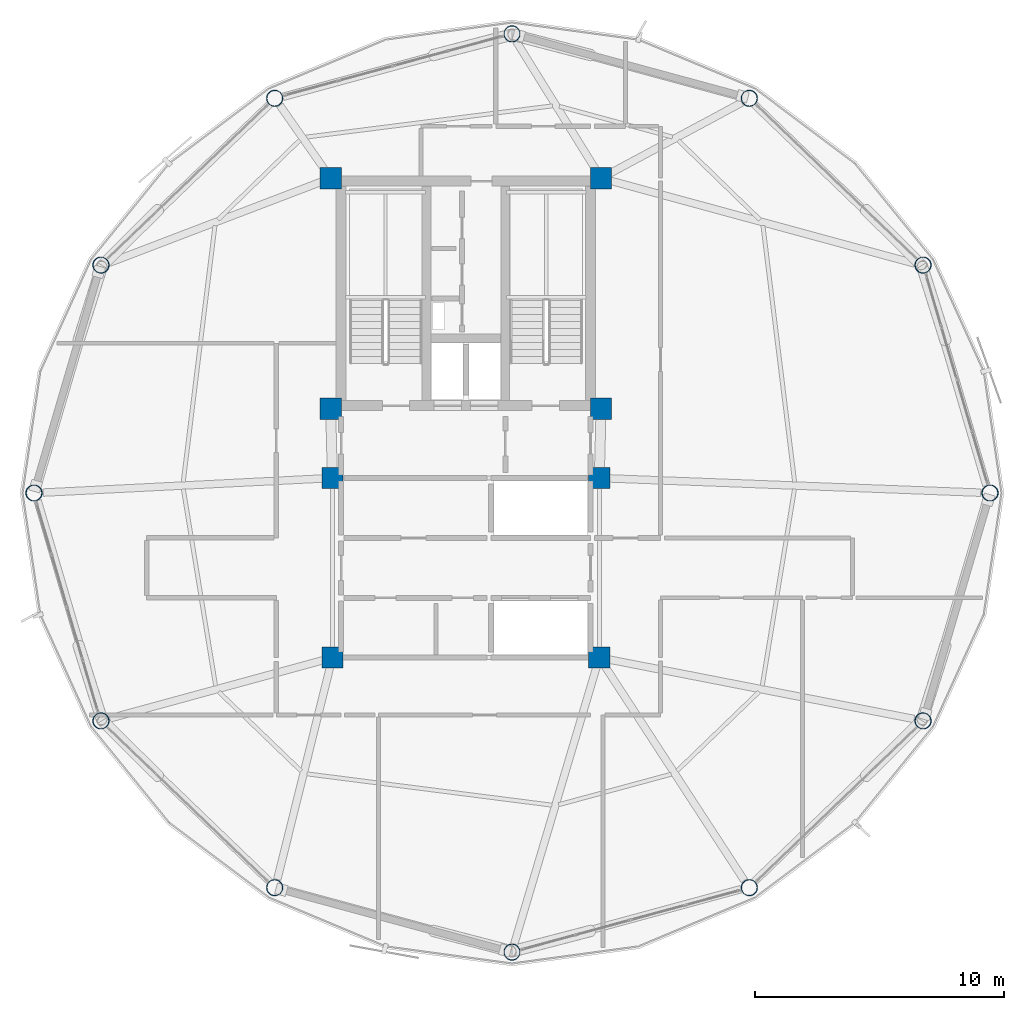
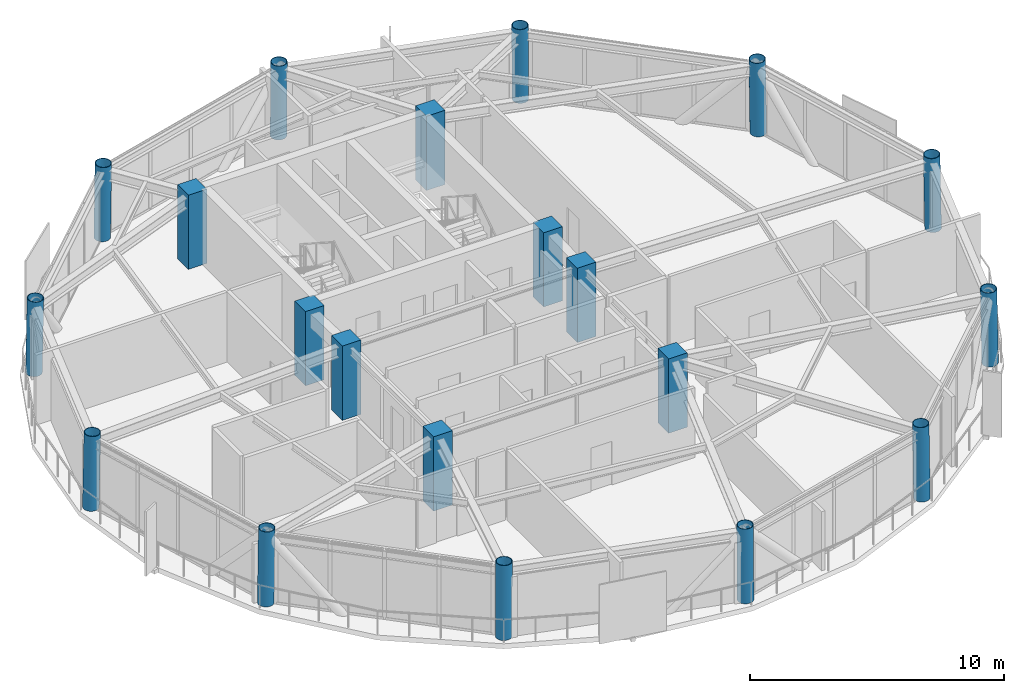
# One storey, part 1 of 28: 20 columns.
"""IFC4 building model written with IfcOpenShell, lengths in metres."""

from ifc_helpers import new_model, si_unit, direction, frame, origin, origin_2d, place, context, subcontext, project, spatial, rectangle, hollow_circle, extrude, material, material_profile, profile_set, type_object, element, save


model = new_model("IFC4")

# Units and contexts
model_context = context("Model", 3, precision=1e-05, world=origin(), true_north=direction((0.0, 1.0)))
body_context = subcontext(model_context, "Body", "Model", "MODEL_VIEW")
ifc_project = project(units=[si_unit("LENGTHUNIT", "METRE"), si_unit("AREAUNIT", "SQUARE_METRE"), si_unit("VOLUMEUNIT", "CUBIC_METRE"), si_unit("PLANEANGLEUNIT", "RADIAN"), si_unit("MASSUNIT", "GRAM", prefix="KILO")], contexts=[model_context])

# Site, building, storey
site_placement = place(None, origin())
site = spatial("IfcSite", under=ifc_project, at=site_placement, CompositionType="ELEMENT")
building_placement = place(site_placement, origin())
building = spatial("IfcBuilding", under=site, at=building_placement, Name="Varnakorn Sky Granary", CompositionType="ELEMENT")
storey_placement = place(building_placement, frame((0.0, 0.0, 211.199951171875)))
storey = spatial("IfcBuildingStorey", under=building, at=storey_placement, Name="L53", CompositionType="ELEMENT", Elevation=211.199951171875)

# Columns
ifc_material_1 = material(Name="Steel S460M", Category="steel")
ifc_material_profile_1 = material_profile(ifc_material_1, hollow_circle(Radius=0.330078125, WallThickness=0.02490234375, at=origin_2d()), Name="CHS 660x25")
ifc_profile_set_1 = profile_set([ifc_material_profile_1], Name="Steel S460M")
column_type_1 = type_object("IfcColumnType", Name="COL-DC-Z4", PredefinedType="COLUMN", material=ifc_profile_set_1)
column_1_placement = place(storey_placement, frame((24.02294921875, 0.0, 0.0), z_axis=(-0.018981760075, 0.0, 0.999819830162), x_axis=(0.0, -1.0, 0.0)))
element("IfcColumn", 1, at=column_1_placement, inside=storey, type_object=column_type_1, Name="Drum Perimeter Column DC01 L53", PredefinedType="COLUMN", context=body_context, shape_type="SweptSolid", body=[
    extrude(hollow_circle(Radius=0.330078125, WallThickness=0.02490234375, at=origin_2d()), origin(), (0.0, 0.0, 1.0), 3.57568359375),
])
column_2_placement = place(storey_placement, frame((21.33740234375, 9.137939453125, 0.0), z_axis=(-0.016455964715, -0.004711458777, 0.999853490958), x_axis=(0.275247949014, -0.961373271193, 0.0)))
element("IfcColumn", 2, at=column_2_placement, inside=storey, type_object=column_type_1, Name="Drum Perimeter Column DC02 L53", PredefinedType="COLUMN", context=body_context, shape_type="SweptSolid", body=[
    extrude(hollow_circle(Radius=0.330078125, WallThickness=0.02490234375, at=origin_2d()), origin(), (0.0, 0.0, 1.0), 3.575439453125),
])
for number, where, z_axis, x_axis, name in (
    (3, (14.368896484375, 15.827392578125, 0.0), (-0.009491843964, -0.008194397667, 0.999921375282), (0.653478078623, -0.756945441072, 0.0), "Drum Perimeter Column DC03 L53"),
    (4, (4.85009765625, 18.410888671875, 0.0), (0.0, -0.00949216266, 0.999954948409), (1.0, 0.0, 0.0), "Drum Perimeter Column DC04 L53"),
    (5, (-4.6689453125, 15.827392578125, 0.0), (0.009491843964, -0.008194397667, 0.999921375282), (0.653478078623, 0.756945441072, 0.0), "Drum Perimeter Column DC05 L53"),
):
    element("IfcColumn", number, at=place(storey_placement, frame(where, z_axis=z_axis, x_axis=x_axis)), inside=storey, type_object=column_type_1, Name=name, PredefinedType="COLUMN", context=body_context, shape_type="SweptSolid", body=[
        extrude(hollow_circle(Radius=0.330078125, WallThickness=0.02490234375, at=origin_2d()), origin(), (0.0, 0.0, 1.0), 3.5751953125),
    ])
column_3_placement = place(storey_placement, frame((-11.637451171875, 9.137939453125, 0.0), z_axis=(0.016455964715, -0.004711458777, 0.999853490958), x_axis=(0.275247949014, 0.961373271193, 0.0)))
element("IfcColumn", 6, at=column_3_placement, inside=storey, type_object=column_type_1, Name="Drum Perimeter Column DC06 L53", PredefinedType="COLUMN", context=body_context, shape_type="SweptSolid", body=[
    extrude(hollow_circle(Radius=0.330078125, WallThickness=0.02490234375, at=origin_2d()), origin(), (0.0, 0.0, 1.0), 3.575439453125),
])
column_4_placement = place(storey_placement, frame((-14.322998046875, 0.0, 0.0), z_axis=(0.019050015053, 0.0, 0.999818531998), x_axis=(0.0, 1.0, 0.0)))
element("IfcColumn", 7, at=column_4_placement, inside=storey, type_object=column_type_1, Name="Drum Perimeter Column DC07 L53", PredefinedType="COLUMN", context=body_context, shape_type="SweptSolid", body=[
    extrude(hollow_circle(Radius=0.330078125, WallThickness=0.02490234375, at=origin_2d()), origin(), (0.0, 0.0, 1.0), 3.57568359375),
])
column_5_placement = place(storey_placement, frame((-11.637451171875, -9.137939453125, 0.0), z_axis=(0.016455964715, 0.004711458777, 0.999853490958), x_axis=(-0.275247949014, 0.961373271193, 0.0)))
element("IfcColumn", 8, at=column_5_placement, inside=storey, type_object=column_type_1, Name="Drum Perimeter Column DC08 L53", PredefinedType="COLUMN", context=body_context, shape_type="SweptSolid", body=[
    extrude(hollow_circle(Radius=0.330078125, WallThickness=0.02490234375, at=origin_2d()), origin(), (0.0, 0.0, 1.0), 3.575439453125),
])
for number, where, z_axis, x_axis, name in (
    (9, (-4.6689453125, -15.827392578125, 0.0), (0.009491843964, 0.008194397667, 0.999921375282), (-0.653478078623, 0.756945441072, 0.0), "Drum Perimeter Column DC09 L53"),
    (10, (4.85009765625, -18.410888671875, 0.0), (0.0, 0.00949216266, 0.999954948409), (-1.0, 0.0, 0.0), "Drum Perimeter Column DC10 L53"),
    (11, (14.368896484375, -15.827392578125, 0.0), (-0.009491843964, 0.008194397667, 0.999921375282), (-0.653478078623, -0.756945441072, 0.0), "Drum Perimeter Column DC11 L53"),
):
    element("IfcColumn", number, at=place(storey_placement, frame(where, z_axis=z_axis, x_axis=x_axis)), inside=storey, type_object=column_type_1, Name=name, PredefinedType="COLUMN", context=body_context, shape_type="SweptSolid", body=[
        extrude(hollow_circle(Radius=0.330078125, WallThickness=0.02490234375, at=origin_2d()), origin(), (0.0, 0.0, 1.0), 3.5751953125),
    ])
column_6_placement = place(storey_placement, frame((21.33740234375, -9.137939453125, 0.0), z_axis=(-0.016455964715, 0.004711458777, 0.999853490958), x_axis=(-0.275247949014, -0.961373271193, 0.0)))
element("IfcColumn", 12, at=column_6_placement, inside=storey, type_object=column_type_1, Name="Drum Perimeter Column DC12 L53", PredefinedType="COLUMN", context=body_context, shape_type="SweptSolid", body=[
    extrude(hollow_circle(Radius=0.330078125, WallThickness=0.02490234375, at=origin_2d()), origin(), (0.0, 0.0, 1.0), 3.575439453125),
])
ifc_material_2 = material(Name="Concrete C50/60", Category="concrete")
ifc_material_profile_2 = material_profile(ifc_material_2, rectangle(XDim=0.85009765625, YDim=0.85009765625, at=origin_2d()), Name="RC 850x850")
ifc_profile_set_2 = profile_set([ifc_material_profile_2], Name="Concrete C50/60")
column_type_2 = type_object("IfcColumnType", Name="COL-MC-Z4", PredefinedType="COLUMN", material=ifc_profile_set_2)
for number, where, z_axis, x_axis, name in (
    (13, (-2.419921875, 12.6201171875, 0.0), (0.0, 0.0, 1.0), (1.0, 0.0, 0.0), "Backbone Mega-Column MC1 L53"),
    (14, (8.419921875, 12.6201171875, 0.0), (0.0, 0.0, 1.0), (1.0, 0.0, 0.0), "Backbone Mega-Column MC2 L53"),
    (15, (-2.419921875, 3.3798828125, 0.0), (0.0, 0.0, 1.0), (1.0, 0.0, 0.0), "Backbone Mega-Column MC3 L53"),
    (16, (8.419921875, 3.3798828125, 0.0), (0.0, 0.0, 1.0), (1.0, 0.0, 0.0), "Backbone Mega-Column MC4 L53"),
    (17, (-2.35009765625, 0.60009765625, 0.0), (0.0, 0.0, 1.0), (1.0, 0.0, 0.0), "Backbone Mega-Column MC5 L53"),
    (18, (8.35009765625, 0.60009765625, 0.0), (0.0, 0.0, 1.0), (1.0, 0.0, 0.0), "Backbone Mega-Column MC6 L53"),
    (19, (-2.35009765625, -6.60009765625, 0.0), (0.0, 0.0, 1.0), (1.0, 0.0, 0.0), "Backbone Mega-Column MC7 L53"),
    (20, (8.35009765625, -6.60009765625, 0.0), (0.0, 0.0, 1.0), (1.0, 0.0, 0.0), "Backbone Mega-Column MC8 L53"),
):
    element("IfcColumn", number, at=place(storey_placement, frame(where, z_axis=z_axis, x_axis=x_axis)), inside=storey, type_object=column_type_2, Name=name, PredefinedType="COLUMN", context=body_context, shape_type="SweptSolid", body=[
        extrude(rectangle(XDim=0.85009765625, YDim=0.85009765625, at=origin_2d()), origin(), (0.0, 0.0, 1.0), 3.574951171875),
    ])

save(model, "model.ifc")
